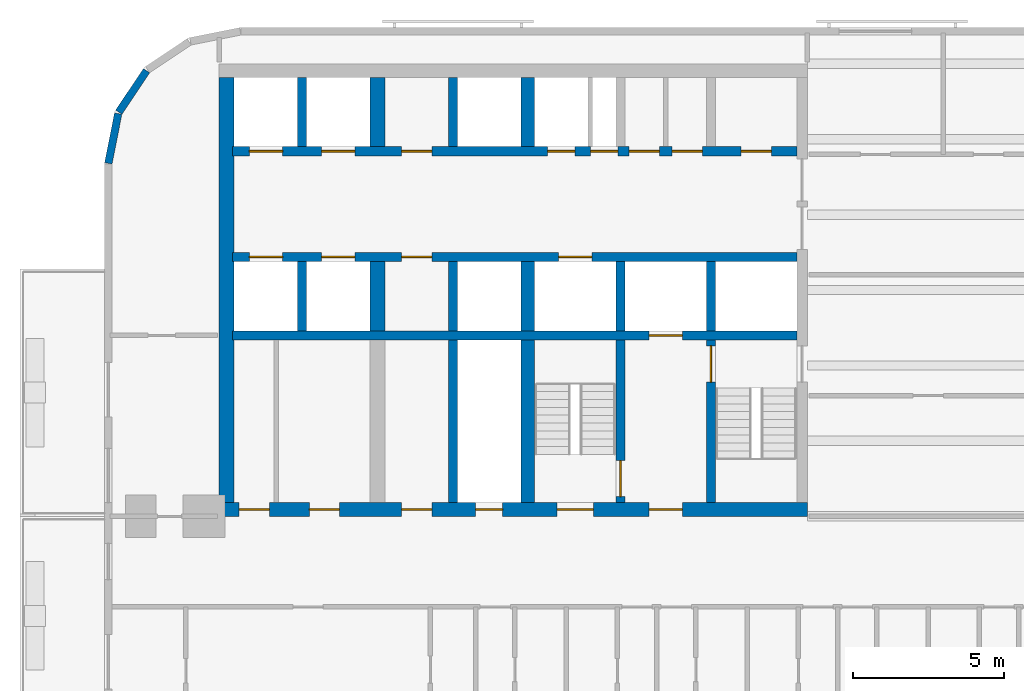
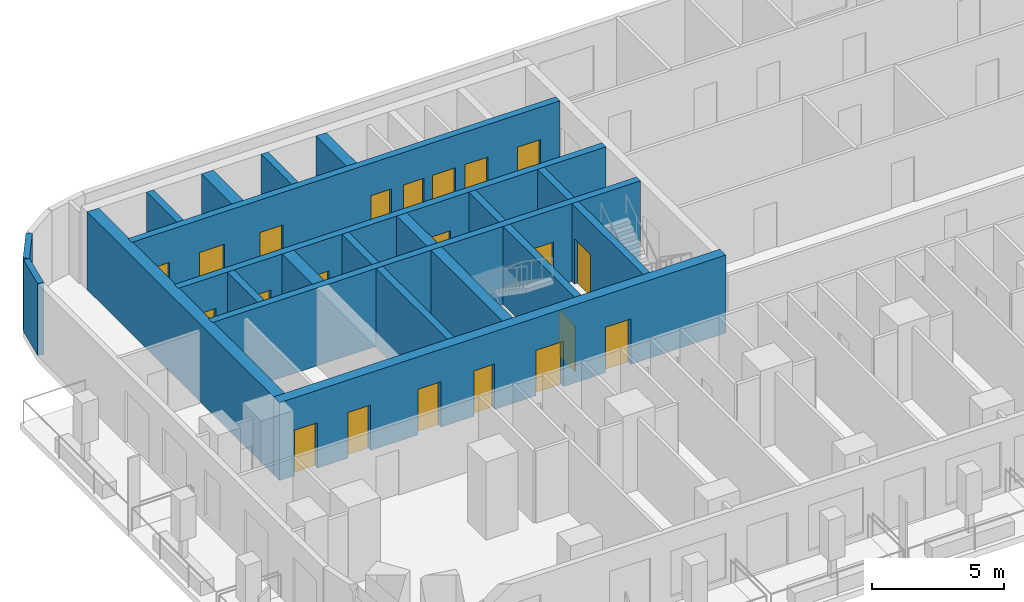
# One storey, part 3 of 14: 21 doors, 21 walls, 21 openings.
"""IFC4 building model written with IfcOpenShell, lengths in metres."""

from ifc_helpers import new_model, si_unit, direction, frame, frame_2d, origin, place, context, subcontext, project, spatial, rectangle, extrude, material, layer, layer_set, type_object, element, fill, save


model = new_model("IFC4")

# Units and contexts
model_context = context("Model", 3, precision=1e-05, world=origin(), true_north=direction((0.0, 1.0)))
body_context = subcontext(model_context, "Body", "Model", "MODEL_VIEW")
ifc_project = project(units=[si_unit("LENGTHUNIT", "METRE"), si_unit("AREAUNIT", "SQUARE_METRE"), si_unit("VOLUMEUNIT", "CUBIC_METRE"), si_unit("PLANEANGLEUNIT", "RADIAN"), si_unit("MASSUNIT", "GRAM", prefix="KILO")], contexts=[model_context])

# Site, building, storey
site_placement = place(None, origin())
site = spatial("IfcSite", under=ifc_project, at=site_placement, CompositionType="ELEMENT")
building_placement = place(site_placement, origin())
building = spatial("IfcBuilding", under=site, at=building_placement, Name="Torana Hotel and Residences", CompositionType="ELEMENT")
storey_placement = place(building_placement, frame((0.0, 0.0, 34.800048828125)))
storey = spatial("IfcBuildingStorey", under=building, at=storey_placement, Name="L07", CompositionType="ELEMENT", Elevation=34.800048828125)

# Wall, openings, doors
ifc_material_1 = material(Name="Concrete C80/95", Category="concrete")
ifc_layer_1 = layer(ifc_material_1, 0.300048828125)
ifc_layer_set_1 = layer_set([ifc_layer_1], Name="CORE WALL 300 C80/95")
wall_type_1 = type_object("IfcWallType", Name="CORE WALL 300 C80/95", PredefinedType="SHEAR", material=ifc_layer_set_1)
wall_1_placement = place(storey_placement, frame((-29.050048828125, -2.89990234375, 0.0), z_axis=(0.0, 0.0, 1.0), x_axis=(1.0, 0.0, 0.0)))
wall_1 = element("IfcWall", 1, at=wall_1_placement, inside=storey, type_object=wall_type_1, Name="Core wall W row-N", PredefinedType="SHEAR", context=body_context, shape_type="SweptSolid", body=[
    extrude(rectangle(XDim=18.699951171875, YDim=0.300048828125, at=frame_2d((9.35009765625, 0.0))), origin(), (0.0, 0.0, 1.0), 3.599853515625),
])
opening_1_placement = place(wall_1_placement, frame((2.949951171875, 0.0, 0.0)))
opening_1 = element("IfcOpeningElement", 2, at=opening_1_placement, cuts=wall_1, Name="Opening LD", PredefinedType="OPENING", context=body_context, shape_type="SweptSolid", body=[
    extrude(rectangle(XDim=1.10009765625, YDim=2.10009765625, at=frame_2d((0.550048828125, 1.050048828125))), frame((0.0, 0.159912109375, 0.0), z_axis=(0.0, -1.0, 0.0), x_axis=(1.0, 0.0, 0.0)), (0.0, 0.0, 1.0), 0.320068359375),
])
opening_2_placement = place(wall_1_placement, frame((0.550048828125, 0.0, 0.0)))
opening_2 = element("IfcOpeningElement", 3, at=opening_2_placement, cuts=wall_1, Name="Opening LD", PredefinedType="OPENING", context=body_context, shape_type="SweptSolid", body=[
    extrude(rectangle(XDim=1.10009765625, YDim=2.10009765625, at=frame_2d((0.550048828125, 1.050048828125))), frame((0.0, 0.159912109375, 0.0), z_axis=(0.0, -1.0, 0.0), x_axis=(1.0, 0.0, 0.0)), (0.0, 0.0, 1.0), 0.320068359375),
])
opening_3_placement = place(wall_1_placement, frame((11.862548828125, 0.0, 0.0)))
opening_3 = element("IfcOpeningElement", 4, at=opening_3_placement, cuts=wall_1, Name="Opening L07-10", PredefinedType="OPENING", context=body_context, shape_type="SweptSolid", body=[
    extrude(rectangle(XDim=0.89990234375, YDim=2.10009765625, at=frame_2d((0.449951171875, 1.050048828125))), frame((0.0, 0.159912109375, 0.0), z_axis=(0.0, -1.0, 0.0), x_axis=(1.0, 0.0, 0.0)), (0.0, 0.0, 1.0), 0.320068359375),
])
opening_4_placement = place(wall_1_placement, frame((10.4375, 0.0, 0.0)))
opening_4 = element("IfcOpeningElement", 5, at=opening_4_placement, cuts=wall_1, Name="Opening L07-11", PredefinedType="OPENING", context=body_context, shape_type="SweptSolid", body=[
    extrude(rectangle(XDim=0.89990234375, YDim=2.10009765625, at=frame_2d((0.449951171875, 1.050048828125))), frame((0.0, 0.159912109375, 0.0), z_axis=(0.0, -1.0, 0.0), x_axis=(1.0, 0.0, 0.0)), (0.0, 0.0, 1.0), 0.320068359375),
])
opening_5_placement = place(wall_1_placement, frame((16.85009765625, 0.0, 0.0)))
opening_5 = element("IfcOpeningElement", 6, at=opening_5_placement, cuts=wall_1, Name="Opening L07-12", PredefinedType="OPENING", context=body_context, shape_type="SweptSolid", body=[
    extrude(rectangle(XDim=1.0, YDim=2.10009765625, at=frame_2d((0.5, 1.050048828125))), frame((0.0, 0.159912109375, 0.0), z_axis=(0.0, -1.0, 0.0), x_axis=(1.0, 0.0, 0.0)), (0.0, 0.0, 1.0), 0.320068359375),
])
opening_6_placement = place(wall_1_placement, frame((14.5625, 0.0, 0.0)))
opening_6 = element("IfcOpeningElement", 7, at=opening_6_placement, cuts=wall_1, Name="Opening L07-13", PredefinedType="OPENING", context=body_context, shape_type="SweptSolid", body=[
    extrude(rectangle(XDim=1.0, YDim=2.10009765625, at=frame_2d((0.5, 1.050048828125))), frame((0.0, 0.159912109375, 0.0), z_axis=(0.0, -1.0, 0.0), x_axis=(1.0, 0.0, 0.0)), (0.0, 0.0, 1.0), 0.320068359375),
])
opening_7_placement = place(wall_1_placement, frame((13.137451171875, 0.0, 0.0)))
opening_7 = element("IfcOpeningElement", 8, at=opening_7_placement, cuts=wall_1, Name="Opening L07-14", PredefinedType="OPENING", context=body_context, shape_type="SweptSolid", body=[
    extrude(rectangle(XDim=1.0, YDim=2.10009765625, at=frame_2d((0.5, 1.050048828125))), frame((0.0, 0.159912109375, 0.0), z_axis=(0.0, -1.0, 0.0), x_axis=(1.0, 0.0, 0.0)), (0.0, 0.0, 1.0), 0.320068359375),
])
opening_8_placement = place(wall_1_placement, frame((5.60009765625, 0.0, 0.0)))
opening_8 = element("IfcOpeningElement", 9, at=opening_8_placement, cuts=wall_1, Name="Opening L07-15", PredefinedType="OPENING", context=body_context, shape_type="SweptSolid", body=[
    extrude(rectangle(XDim=1.0, YDim=2.10009765625, at=frame_2d((0.5, 1.050048828125))), frame((0.0, 0.159912109375, 0.0), z_axis=(0.0, -1.0, 0.0), x_axis=(1.0, 0.0, 0.0)), (0.0, 0.0, 1.0), 0.320068359375),
])
ifc_material_2 = material(Name="Steel S235", Category="steel")
door_type_1 = type_object("IfcDoorType", Name="CORE ROOM FIRE DOOR D14 1000x2100", OperationType="SINGLE_SWING_LEFT", PredefinedType="DOOR", material=ifc_material_2)
door_1_placement = place(opening_5_placement, origin())
door_1 = element("IfcDoor", 10, at=door_1_placement, inside=storey, type_object=door_type_1, Name="N0 door L07", OperationType="SINGLE_SWING_RIGHT", OverallHeight=2.10009765625, OverallWidth=1.0, PredefinedType="DOOR", context=body_context, shape_type="SweptSolid", body=[
    extrude(rectangle(XDim=1.0, YDim=2.10009765625, at=frame_2d((0.5, 1.050048828125))), frame((0.0, 0.02490234375, 0.0), z_axis=(0.0, -1.0, 0.0), x_axis=(1.0, 0.0, 0.0)), (0.0, 0.0, 1.0), 0.050048828125),
])
fill(opening_5, door_1)
door_2_placement = place(opening_6_placement, origin())
door_2 = element("IfcDoor", 11, at=door_2_placement, inside=storey, type_object=door_type_1, Name="N1A door L07", OperationType="SINGLE_SWING_RIGHT", OverallHeight=2.10009765625, OverallWidth=1.0, PredefinedType="DOOR", context=body_context, shape_type="SweptSolid", body=[
    extrude(rectangle(XDim=1.0, YDim=2.10009765625, at=frame_2d((0.5, 1.050048828125))), frame((0.0, 0.02490234375, 0.0), z_axis=(0.0, -1.0, 0.0), x_axis=(1.0, 0.0, 0.0)), (0.0, 0.0, 1.0), 0.050048828125),
])
fill(opening_6, door_2)
door_3_placement = place(opening_7_placement, origin())
door_3 = element("IfcDoor", 12, at=door_3_placement, inside=storey, type_object=door_type_1, Name="N1B door L07", OperationType="SINGLE_SWING_RIGHT", OverallHeight=2.10009765625, OverallWidth=1.0, PredefinedType="DOOR", context=body_context, shape_type="SweptSolid", body=[
    extrude(rectangle(XDim=1.0, YDim=2.10009765625, at=frame_2d((0.5, 1.050048828125))), frame((0.0, 0.02490234375, 0.0), z_axis=(0.0, -1.0, 0.0), x_axis=(1.0, 0.0, 0.0)), (0.0, 0.0, 1.0), 0.050048828125),
])
fill(opening_7, door_3)
door_4_placement = place(opening_8_placement, origin())
door_4 = element("IfcDoor", 13, at=door_4_placement, inside=storey, type_object=door_type_1, Name="Free-M1 door L07", OperationType="SINGLE_SWING_RIGHT", OverallHeight=2.10009765625, OverallWidth=1.0, PredefinedType="DOOR", context=body_context, shape_type="SweptSolid", body=[
    extrude(rectangle(XDim=1.0, YDim=2.10009765625, at=frame_2d((0.5, 1.050048828125))), frame((0.0, 0.02490234375, 0.0), z_axis=(0.0, -1.0, 0.0), x_axis=(1.0, 0.0, 0.0)), (0.0, 0.0, 1.0), 0.050048828125),
])
fill(opening_8, door_4)
ifc_material_3 = material(Name="Stainless steel 316", Category="steel")
door_type_2 = type_object("IfcDoorType", Name="LIFT LANDING DOOR LD 1100x2100", OperationType="DOUBLE_DOOR_SLIDING", PredefinedType="USERDEFINED", material=ifc_material_3)
door_5_placement = place(opening_1_placement, origin())
door_5 = element("IfcDoor", 14, at=door_5_placement, inside=storey, type_object=door_type_2, Name="Lift landing door L1 L07", ObjectType="LIFT LANDING DOOR", OperationType="DOUBLE_DOOR_SLIDING", OverallHeight=2.10009765625, OverallWidth=1.10009765625, PredefinedType="USERDEFINED", context=body_context, shape_type="SweptSolid", body=[
    extrude(rectangle(XDim=1.10009765625, YDim=2.10009765625, at=frame_2d((0.550048828125, 1.050048828125))), frame((0.0, 0.02490234375, 0.0), z_axis=(0.0, -1.0, 0.0), x_axis=(1.0, 0.0, 0.0)), (0.0, 0.0, 1.0), 0.050048828125),
])
fill(opening_1, door_5)
door_6_placement = place(opening_2_placement, origin())
door_6 = element("IfcDoor", 15, at=door_6_placement, inside=storey, type_object=door_type_2, Name="Lift landing door L2 L07", ObjectType="LIFT LANDING DOOR", OperationType="DOUBLE_DOOR_SLIDING", OverallHeight=2.10009765625, OverallWidth=1.10009765625, PredefinedType="USERDEFINED", context=body_context, shape_type="SweptSolid", body=[
    extrude(rectangle(XDim=1.10009765625, YDim=2.10009765625, at=frame_2d((0.550048828125, 1.050048828125))), frame((0.0, 0.02490234375, 0.0), z_axis=(0.0, -1.0, 0.0), x_axis=(1.0, 0.0, 0.0)), (0.0, 0.0, 1.0), 0.050048828125),
])
fill(opening_2, door_6)
ifc_material_4 = material(Name="Steel S235", Category="steel")
door_type_3 = type_object("IfcDoorType", Name="RISER ACCESS DOOR D5 900x2100", OperationType="SINGLE_SWING_LEFT", PredefinedType="DOOR", material=ifc_material_4)
door_7_placement = place(opening_3_placement, origin())
door_7 = element("IfcDoor", 16, at=door_7_placement, inside=storey, type_object=door_type_3, Name="N2A door L07", OperationType="SINGLE_SWING_LEFT", OverallHeight=2.10009765625, OverallWidth=0.89990234375, PredefinedType="DOOR", context=body_context, shape_type="SweptSolid", body=[
    extrude(rectangle(XDim=0.89990234375, YDim=2.10009765625, at=frame_2d((0.449951171875, 1.050048828125))), frame((0.0, 0.02490234375, 0.0), z_axis=(0.0, -1.0, 0.0), x_axis=(1.0, 0.0, 0.0)), (0.0, 0.0, 1.0), 0.050048828125),
])
fill(opening_3, door_7)
door_8_placement = place(opening_4_placement, origin())
door_8 = element("IfcDoor", 17, at=door_8_placement, inside=storey, type_object=door_type_3, Name="N2B door L07", OperationType="SINGLE_SWING_RIGHT", OverallHeight=2.10009765625, OverallWidth=0.89990234375, PredefinedType="DOOR", context=body_context, shape_type="SweptSolid", body=[
    extrude(rectangle(XDim=0.89990234375, YDim=2.10009765625, at=frame_2d((0.449951171875, 1.050048828125))), frame((0.0, 0.02490234375, 0.0), z_axis=(0.0, -1.0, 0.0), x_axis=(1.0, 0.0, 0.0)), (0.0, 0.0, 1.0), 0.050048828125),
])
fill(opening_4, door_8)

wall_2_placement = place(storey_placement, frame((-29.050048828125, -6.39990234375, 0.0), z_axis=(0.0, 0.0, 1.0), x_axis=(1.0, 0.0, 0.0)))
wall_2 = element("IfcWall", 18, at=wall_2_placement, inside=storey, type_object=wall_type_1, Name="Core wall W row-S", PredefinedType="SHEAR", context=body_context, shape_type="SweptSolid", body=[
    extrude(rectangle(XDim=18.699951171875, YDim=0.300048828125, at=frame_2d((9.35009765625, 0.0))), origin(), (0.0, 0.0, 1.0), 3.599853515625),
])
opening_9_placement = place(wall_2_placement, frame((2.949951171875, 0.0, 0.0)))
opening_9 = element("IfcOpeningElement", 19, at=opening_9_placement, cuts=wall_2, Name="Opening LD", PredefinedType="OPENING", context=body_context, shape_type="SweptSolid", body=[
    extrude(rectangle(XDim=1.10009765625, YDim=2.10009765625, at=frame_2d((0.550048828125, 1.050048828125))), frame((0.0, 0.159912109375, 0.0), z_axis=(0.0, -1.0, 0.0), x_axis=(1.0, 0.0, 0.0)), (0.0, 0.0, 1.0), 0.320068359375),
])
opening_10_placement = place(wall_2_placement, frame((0.550048828125, 0.0, 0.0)))
opening_10 = element("IfcOpeningElement", 20, at=opening_10_placement, cuts=wall_2, Name="Opening LD", PredefinedType="OPENING", context=body_context, shape_type="SweptSolid", body=[
    extrude(rectangle(XDim=1.10009765625, YDim=2.10009765625, at=frame_2d((0.550048828125, 1.050048828125))), frame((0.0, 0.159912109375, 0.0), z_axis=(0.0, -1.0, 0.0), x_axis=(1.0, 0.0, 0.0)), (0.0, 0.0, 1.0), 0.320068359375),
])
opening_11_placement = place(wall_2_placement, frame((10.800048828125, 0.0, 0.0)))
opening_11 = element("IfcOpeningElement", 21, at=opening_11_placement, cuts=wall_2, Name="Opening LD", PredefinedType="OPENING", context=body_context, shape_type="SweptSolid", body=[
    extrude(rectangle(XDim=1.10009765625, YDim=2.10009765625, at=frame_2d((0.550048828125, 1.050048828125))), frame((0.0, 0.159912109375, 0.0), z_axis=(0.0, -1.0, 0.0), x_axis=(1.0, 0.0, 0.0)), (0.0, 0.0, 1.0), 0.320068359375),
])
opening_12_placement = place(wall_2_placement, frame((5.60009765625, 0.0, 0.0)))
opening_12 = element("IfcOpeningElement", 22, at=opening_12_placement, cuts=wall_2, Name="Opening L07-16", PredefinedType="OPENING", context=body_context, shape_type="SweptSolid", body=[
    extrude(rectangle(XDim=1.0, YDim=2.10009765625, at=frame_2d((0.5, 1.050048828125))), frame((0.0, 0.159912109375, 0.0), z_axis=(0.0, -1.0, 0.0), x_axis=(1.0, 0.0, 0.0)), (0.0, 0.0, 1.0), 0.320068359375),
])
door_9_placement = place(opening_12_placement, frame((0.5, 0.0, 0.0), z_axis=(0.0, 0.0, 1.0), x_axis=(-1.0, 0.0, 0.0)))
door_9 = element("IfcDoor", 23, at=door_9_placement, inside=storey, type_object=door_type_1, Name="Free-M2 door L07", OperationType="SINGLE_SWING_LEFT", OverallHeight=2.10009765625, OverallWidth=1.0, PredefinedType="DOOR", context=body_context, shape_type="SweptSolid", body=[
    extrude(rectangle(XDim=1.0, YDim=2.10009765625, at=frame_2d((0.0, 1.050048828125))), frame((0.0, -0.02490234375, 0.0), z_axis=(0.0, 1.0, 0.0), x_axis=(-1.0, 0.0, 0.0)), (0.0, 0.0, 1.0), 0.050048828125),
])
fill(opening_12, door_9)
door_10_placement = place(opening_9_placement, origin())
door_10 = element("IfcDoor", 24, at=door_10_placement, inside=storey, type_object=door_type_2, Name="Lift landing door L3 L07", ObjectType="LIFT LANDING DOOR", OperationType="DOUBLE_DOOR_SLIDING", OverallHeight=2.10009765625, OverallWidth=1.10009765625, PredefinedType="USERDEFINED", context=body_context, shape_type="SweptSolid", body=[
    extrude(rectangle(XDim=1.10009765625, YDim=2.10009765625, at=frame_2d((0.550048828125, 1.050048828125))), frame((0.0, 0.02490234375, 0.0), z_axis=(0.0, -1.0, 0.0), x_axis=(1.0, 0.0, 0.0)), (0.0, 0.0, 1.0), 0.050048828125),
])
fill(opening_9, door_10)
door_11_placement = place(opening_10_placement, origin())
door_11 = element("IfcDoor", 25, at=door_11_placement, inside=storey, type_object=door_type_2, Name="Lift landing door L4 L07", ObjectType="LIFT LANDING DOOR", OperationType="DOUBLE_DOOR_SLIDING", OverallHeight=2.10009765625, OverallWidth=1.10009765625, PredefinedType="USERDEFINED", context=body_context, shape_type="SweptSolid", body=[
    extrude(rectangle(XDim=1.10009765625, YDim=2.10009765625, at=frame_2d((0.550048828125, 1.050048828125))), frame((0.0, 0.02490234375, 0.0), z_axis=(0.0, -1.0, 0.0), x_axis=(1.0, 0.0, 0.0)), (0.0, 0.0, 1.0), 0.050048828125),
])
fill(opening_10, door_11)
door_12_placement = place(opening_11_placement, origin())
door_12 = element("IfcDoor", 26, at=door_12_placement, inside=storey, type_object=door_type_2, Name="Lift landing door SV1 L07", ObjectType="LIFT LANDING DOOR", OperationType="DOUBLE_DOOR_SLIDING", OverallHeight=2.10009765625, OverallWidth=1.10009765625, PredefinedType="USERDEFINED", context=body_context, shape_type="SweptSolid", body=[
    extrude(rectangle(XDim=1.10009765625, YDim=2.10009765625, at=frame_2d((0.550048828125, 1.050048828125))), frame((0.0, 0.02490234375, 0.0), z_axis=(0.0, -1.0, 0.0), x_axis=(1.0, 0.0, 0.0)), (0.0, 0.0, 1.0), 0.050048828125),
])
fill(opening_11, door_12)

# Wall, opening, door
wall_3_placement = place(storey_placement, frame((-29.050048828125, -9.0, 0.0), z_axis=(0.0, 0.0, 1.0), x_axis=(1.0, 0.0, 0.0)))
wall_3 = element("IfcWall", 27, at=wall_3_placement, inside=storey, type_object=wall_type_1, Name="Core wall W band", PredefinedType="SHEAR", context=body_context, shape_type="SweptSolid", body=[
    extrude(rectangle(XDim=18.699951171875, YDim=0.300048828125, at=frame_2d((9.35009765625, 0.0))), origin(), (0.0, 0.0, 1.0), 3.599853515625),
])
opening_13_placement = place(wall_3_placement, frame((13.800048828125, 0.0, 0.0)))
opening_13 = element("IfcOpeningElement", 28, at=opening_13_placement, cuts=wall_3, Name="Opening LD", PredefinedType="OPENING", context=body_context, shape_type="SweptSolid", body=[
    extrude(rectangle(XDim=1.10009765625, YDim=2.10009765625, at=frame_2d((0.550048828125, 1.050048828125))), frame((0.0, 0.159912109375, 0.0), z_axis=(0.0, -1.0, 0.0), x_axis=(1.0, 0.0, 0.0)), (0.0, 0.0, 1.0), 0.320068359375),
])
door_13_placement = place(opening_13_placement, origin())
door_13 = element("IfcDoor", 29, at=door_13_placement, inside=storey, type_object=door_type_2, Name="Lift landing door FF1 L07", ObjectType="LIFT LANDING DOOR", OperationType="DOUBLE_DOOR_SLIDING", OverallHeight=2.10009765625, OverallWidth=1.10009765625, PredefinedType="USERDEFINED", context=body_context, shape_type="SweptSolid", body=[
    extrude(rectangle(XDim=1.10009765625, YDim=2.10009765625, at=frame_2d((0.550048828125, 1.050048828125))), frame((0.0, 0.02490234375, 0.0), z_axis=(0.0, -1.0, 0.0), x_axis=(1.0, 0.0, 0.0)), (0.0, 0.0, 1.0), 0.050048828125),
])
fill(opening_13, door_13)

# Wall
wall_4_placement = place(storey_placement, frame((-13.199951171875, -8.85009765625, 0.0), z_axis=(0.0, 0.0, 1.0), x_axis=(0.0, 1.0, 0.0)))
element("IfcWall", 30, at=wall_4_placement, inside=storey, type_object=wall_type_1, Name="Core wall W x3.05-S", PredefinedType="SHEAR", context=body_context, shape_type="SweptSolid", body=[
    extrude(rectangle(XDim=2.300048828125, YDim=0.300048828125, at=frame_2d((1.14990234375, 0.0))), origin(), (0.0, 0.0, 1.0), 3.599853515625),
])

# Wall, opening, door
wall_5_placement = place(storey_placement, frame((-13.199951171875, -14.550048828125, 0.0), z_axis=(0.0, 0.0, 1.0), x_axis=(0.0, 1.0, 0.0)))
wall_5 = element("IfcWall", 31, at=wall_5_placement, inside=storey, type_object=wall_type_1, Name="Core wall W x3.05-band", PredefinedType="SHEAR", context=body_context, shape_type="SweptSolid", body=[
    extrude(rectangle(XDim=5.400146484375, YDim=0.300048828125, at=frame_2d((2.7001953125, 0.0))), origin(), (0.0, 0.0, 1.0), 3.599853515625),
])
opening_14_placement = place(wall_5_placement, frame((4.0, 0.0, 0.0)))
opening_14 = element("IfcOpeningElement", 32, at=opening_14_placement, cuts=wall_5, Name="Opening L07-17", PredefinedType="OPENING", context=body_context, shape_type="SweptSolid", body=[
    extrude(rectangle(XDim=1.199951171875, YDim=2.10009765625, at=frame_2d((0.60009765625, 1.050048828125))), frame((0.0, 0.159912109375, 0.0), z_axis=(0.0, -1.0, 0.0), x_axis=(1.0, 0.0, 0.0)), (0.0, 0.0, 1.0), 0.320068359375),
])
ifc_material_5 = material(Name="Steel S235", Category="steel")
door_type_4 = type_object("IfcDoorType", Name="STAIR FIRE DOOR D3 1200x2100", OperationType="SINGLE_SWING_LEFT", PredefinedType="DOOR", material=ifc_material_5)
door_14_placement = place(opening_14_placement, frame((0.60009765625, 0.0, 0.0), z_axis=(0.0, 0.0, 1.0), x_axis=(-1.0, 0.0, 0.0)))
door_14 = element("IfcDoor", 33, at=door_14_placement, inside=storey, type_object=door_type_4, Name="Stair-A-lobby door L07", OperationType="SINGLE_SWING_RIGHT", OverallHeight=2.10009765625, OverallWidth=1.199951171875, PredefinedType="DOOR", context=body_context, shape_type="SweptSolid", body=[
    extrude(rectangle(XDim=1.199951171875, YDim=2.10009765625, at=frame_2d((0.0, 1.050048828125))), frame((0.0, -0.02490234375, 0.0), z_axis=(0.0, 1.0, 0.0), x_axis=(-1.0, 0.0, 0.0)), (0.0, 0.0, 1.0), 0.050048828125),
])
fill(opening_14, door_14)

# Wall
wall_6_placement = place(storey_placement, frame((-16.199951171875, -8.85009765625, 0.0), z_axis=(0.0, 0.0, 1.0), x_axis=(0.0, 1.0, 0.0)))
element("IfcWall", 34, at=wall_6_placement, inside=storey, type_object=wall_type_1, Name="Core wall W x6.05-S", PredefinedType="SHEAR", context=body_context, shape_type="SweptSolid", body=[
    extrude(rectangle(XDim=2.300048828125, YDim=0.300048828125, at=frame_2d((1.14990234375, 0.0))), origin(), (0.0, 0.0, 1.0), 3.599853515625),
])

# Wall, opening, door
wall_7_placement = place(storey_placement, frame((-16.199951171875, -14.550048828125, 0.0), z_axis=(0.0, 0.0, 1.0), x_axis=(0.0, 1.0, 0.0)))
wall_7 = element("IfcWall", 35, at=wall_7_placement, inside=storey, type_object=wall_type_1, Name="Core wall W x6.05-band", PredefinedType="SHEAR", context=body_context, shape_type="SweptSolid", body=[
    extrude(rectangle(XDim=5.400146484375, YDim=0.300048828125, at=frame_2d((2.7001953125, 0.0))), origin(), (0.0, 0.0, 1.0), 3.599853515625),
])
opening_15_placement = place(wall_7_placement, frame((0.199951171875, 0.0, 0.0)))
opening_15 = element("IfcOpeningElement", 36, at=opening_15_placement, cuts=wall_7, Name="Opening L07-18", PredefinedType="OPENING", context=body_context, shape_type="SweptSolid", body=[
    extrude(rectangle(XDim=1.199951171875, YDim=2.10009765625, at=frame_2d((0.60009765625, 1.050048828125))), frame((0.0, 0.159912109375, 0.0), z_axis=(0.0, -1.0, 0.0), x_axis=(1.0, 0.0, 0.0)), (0.0, 0.0, 1.0), 0.320068359375),
])
door_15_placement = place(opening_15_placement, origin())
door_15 = element("IfcDoor", 37, at=door_15_placement, inside=storey, type_object=door_type_4, Name="Stair-B-lobby door L07", OperationType="SINGLE_SWING_RIGHT", OverallHeight=2.10009765625, OverallWidth=1.199951171875, PredefinedType="DOOR", context=body_context, shape_type="SweptSolid", body=[
    extrude(rectangle(XDim=1.199951171875, YDim=2.10009765625, at=frame_2d((0.60009765625, 1.050048828125))), frame((0.0, 0.02490234375, 0.0), z_axis=(0.0, -1.0, 0.0), x_axis=(1.0, 0.0, 0.0)), (0.0, 0.0, 1.0), 0.050048828125),
])
fill(opening_15, door_15)

# Walls
for number, where, z_axis, x_axis, name in (
    (38, (-21.75, -2.75, 0.0), (0.0, 0.0, 1.0), (0.0, 1.0, 0.0), "Core wall W mm-N"),
    (39, (-21.75, -8.85009765625, 0.0), (0.0, 0.0, 1.0), (0.0, 1.0, 0.0), "Core wall W mm-S"),
):
    element("IfcWall", number, at=place(storey_placement, frame(where, z_axis=z_axis, x_axis=x_axis)), inside=storey, type_object=wall_type_1, Name=name, PredefinedType="SHEAR", context=body_context, shape_type="SweptSolid", body=[
        extrude(rectangle(XDim=2.300048828125, YDim=0.300048828125, at=frame_2d((1.14990234375, 0.0))), origin(), (0.0, 0.0, 1.0), 3.599853515625),
    ])
wall_8_placement = place(storey_placement, frame((-21.75, -14.550048828125, 0.0), z_axis=(0.0, 0.0, 1.0), x_axis=(0.0, 1.0, 0.0)))
element("IfcWall", 40, at=wall_8_placement, inside=storey, type_object=wall_type_1, Name="Core wall W mm-band", PredefinedType="SHEAR", context=body_context, shape_type="SweptSolid", body=[
    extrude(rectangle(XDim=5.400146484375, YDim=0.300048828125, at=frame_2d((2.7001953125, 0.0))), origin(), (0.0, 0.0, 1.0), 3.599853515625),
])
for number, where, z_axis, x_axis, name in (
    (41, (-26.75, -2.75, 0.0), (0.0, 0.0, 1.0), (0.0, 1.0, 0.0), "Core wall W ll-N"),
    (42, (-26.75, -8.85009765625, 0.0), (0.0, 0.0, 1.0), (0.0, 1.0, 0.0), "Core wall W ll-S"),
):
    element("IfcWall", number, at=place(storey_placement, frame(where, z_axis=z_axis, x_axis=x_axis)), inside=storey, type_object=wall_type_1, Name=name, PredefinedType="SHEAR", context=body_context, shape_type="SweptSolid", body=[
        extrude(rectangle(XDim=2.300048828125, YDim=0.300048828125, at=frame_2d((1.14990234375, 0.0))), origin(), (0.0, 0.0, 1.0), 3.599853515625),
    ])

# Wall, openings, doors
ifc_material_6 = material(Name="Concrete C80/95", Category="concrete")
ifc_layer_2 = layer(ifc_material_6, 0.449951171875)
ifc_layer_set_2 = layer_set([ifc_layer_2], Name="CORE WALL 450 C80/95")
wall_type_2 = type_object("IfcWallType", Name="CORE WALL 450 C80/95", PredefinedType="SHEAR", material=ifc_layer_set_2)
wall_9_placement = place(storey_placement, frame((-29.5, -14.77490234375, 0.0), z_axis=(0.0, 0.0, 1.0), x_axis=(1.0, 0.0, 0.0)))
wall_9 = element("IfcWall", 43, at=wall_9_placement, inside=storey, type_object=wall_type_2, Name="Core wall W front", PredefinedType="SHEAR", context=body_context, shape_type="SweptSolid", body=[
    extrude(rectangle(XDim=19.5, YDim=0.449951171875, at=frame_2d((9.75, 0.0))), origin(), (0.0, 0.0, 1.0), 3.599853515625),
])
opening_16_placement = place(wall_9_placement, frame((11.199951171875, 0.0, 0.0)))
opening_16 = element("IfcOpeningElement", 44, at=opening_16_placement, cuts=wall_9, Name="Opening L07-04", PredefinedType="OPENING", context=body_context, shape_type="SweptSolid", body=[
    extrude(rectangle(XDim=1.199951171875, YDim=2.10009765625, at=frame_2d((0.60009765625, 1.050048828125))), frame((0.0, 0.23486328125, 0.0), z_axis=(0.0, -1.0, 0.0), x_axis=(1.0, 0.0, 0.0)), (0.0, 0.0, 1.0), 0.469970703125),
])
opening_17_placement = place(wall_9_placement, frame((14.25, 0.0, 0.0)))
opening_17 = element("IfcOpeningElement", 45, at=opening_17_placement, cuts=wall_9, Name="Opening L07-05", PredefinedType="OPENING", context=body_context, shape_type="SweptSolid", body=[
    extrude(rectangle(XDim=1.10009765625, YDim=2.10009765625, at=frame_2d((0.550048828125, 1.050048828125))), frame((0.0, 0.23486328125, 0.0), z_axis=(0.0, -1.0, 0.0), x_axis=(1.0, 0.0, 0.0)), (0.0, 0.0, 1.0), 0.469970703125),
])
opening_18_placement = place(wall_9_placement, frame((8.5, 0.0, 0.0)))
opening_18 = element("IfcOpeningElement", 46, at=opening_18_placement, cuts=wall_9, Name="Opening L07-06", PredefinedType="OPENING", context=body_context, shape_type="SweptSolid", body=[
    extrude(rectangle(XDim=0.89990234375, YDim=2.10009765625, at=frame_2d((0.449951171875, 1.050048828125))), frame((0.0, 0.23486328125, 0.0), z_axis=(0.0, -1.0, 0.0), x_axis=(1.0, 0.0, 0.0)), (0.0, 0.0, 1.0), 0.469970703125),
])
opening_19_placement = place(wall_9_placement, frame((6.050048828125, 0.0, 0.0)))
opening_19 = element("IfcOpeningElement", 47, at=opening_19_placement, cuts=wall_9, Name="Opening L07-07", PredefinedType="OPENING", context=body_context, shape_type="SweptSolid", body=[
    extrude(rectangle(XDim=1.0, YDim=2.10009765625, at=frame_2d((0.5, 1.050048828125))), frame((0.0, 0.23486328125, 0.0), z_axis=(0.0, -1.0, 0.0), x_axis=(1.0, 0.0, 0.0)), (0.0, 0.0, 1.0), 0.469970703125),
])
opening_20_placement = place(wall_9_placement, frame((2.987548828125, 0.0, 0.0)))
opening_20 = element("IfcOpeningElement", 48, at=opening_20_placement, cuts=wall_9, Name="Opening L07-08", PredefinedType="OPENING", context=body_context, shape_type="SweptSolid", body=[
    extrude(rectangle(XDim=1.0, YDim=2.10009765625, at=frame_2d((0.5, 1.050048828125))), frame((0.0, 0.23486328125, 0.0), z_axis=(0.0, -1.0, 0.0), x_axis=(1.0, 0.0, 0.0)), (0.0, 0.0, 1.0), 0.469970703125),
])
opening_21_placement = place(wall_9_placement, frame((0.66259765625, 0.0, 0.0)))
opening_21 = element("IfcOpeningElement", 49, at=opening_21_placement, cuts=wall_9, Name="Opening L07-09", PredefinedType="OPENING", context=body_context, shape_type="SweptSolid", body=[
    extrude(rectangle(XDim=1.0, YDim=2.10009765625, at=frame_2d((0.5, 1.050048828125))), frame((0.0, 0.23486328125, 0.0), z_axis=(0.0, -1.0, 0.0), x_axis=(1.0, 0.0, 0.0)), (0.0, 0.0, 1.0), 0.469970703125),
])
door_16_placement = place(opening_19_placement, origin())
door_16 = element("IfcDoor", 50, at=door_16_placement, inside=storey, type_object=door_type_1, Name="M-Room door L07", OperationType="SINGLE_SWING_RIGHT", OverallHeight=2.10009765625, OverallWidth=1.0, PredefinedType="DOOR", context=body_context, shape_type="SweptSolid", body=[
    extrude(rectangle(XDim=1.0, YDim=2.10009765625, at=frame_2d((0.5, 1.050048828125))), frame((0.0, 0.02490234375, 0.0), z_axis=(0.0, -1.0, 0.0), x_axis=(1.0, 0.0, 0.0)), (0.0, 0.0, 1.0), 0.050048828125),
])
fill(opening_19, door_16)
door_17_placement = place(opening_20_placement, origin())
door_17 = element("IfcDoor", 51, at=door_17_placement, inside=storey, type_object=door_type_1, Name="L-A door L07", OperationType="SINGLE_SWING_RIGHT", OverallHeight=2.10009765625, OverallWidth=1.0, PredefinedType="DOOR", context=body_context, shape_type="SweptSolid", body=[
    extrude(rectangle(XDim=1.0, YDim=2.10009765625, at=frame_2d((0.5, 1.050048828125))), frame((0.0, 0.02490234375, 0.0), z_axis=(0.0, -1.0, 0.0), x_axis=(1.0, 0.0, 0.0)), (0.0, 0.0, 1.0), 0.050048828125),
])
fill(opening_20, door_17)
door_18_placement = place(opening_21_placement, origin())
door_18 = element("IfcDoor", 52, at=door_18_placement, inside=storey, type_object=door_type_1, Name="L-B door L07", OperationType="SINGLE_SWING_RIGHT", OverallHeight=2.10009765625, OverallWidth=1.0, PredefinedType="DOOR", context=body_context, shape_type="SweptSolid", body=[
    extrude(rectangle(XDim=1.0, YDim=2.10009765625, at=frame_2d((0.5, 1.050048828125))), frame((0.0, 0.02490234375, 0.0), z_axis=(0.0, -1.0, 0.0), x_axis=(1.0, 0.0, 0.0)), (0.0, 0.0, 1.0), 0.050048828125),
])
fill(opening_21, door_18)
ifc_material_7 = material(Name="Steel S235", Category="steel")
door_type_5 = type_object("IfcDoorType", Name="FIRE-FIGHTING LOBBY DOOR D8 1100x2100", OperationType="SINGLE_SWING_LEFT", PredefinedType="DOOR", material=ifc_material_7)
door_19_placement = place(opening_17_placement, origin())
door_19 = element("IfcDoor", 53, at=door_19_placement, inside=storey, type_object=door_type_5, Name="FF-lobby door L07", OperationType="SINGLE_SWING_RIGHT", OverallHeight=2.10009765625, OverallWidth=1.10009765625, PredefinedType="DOOR", context=body_context, shape_type="SweptSolid", body=[
    extrude(rectangle(XDim=1.10009765625, YDim=2.10009765625, at=frame_2d((0.550048828125, 1.050048828125))), frame((0.0, 0.02490234375, 0.0), z_axis=(0.0, -1.0, 0.0), x_axis=(1.0, 0.0, 0.0)), (0.0, 0.0, 1.0), 0.050048828125),
])
fill(opening_17, door_19)
door_20_placement = place(opening_18_placement, origin())
door_20 = element("IfcDoor", 54, at=door_20_placement, inside=storey, type_object=door_type_3, Name="M-Riser door L07", OperationType="SINGLE_SWING_RIGHT", OverallHeight=2.10009765625, OverallWidth=0.89990234375, PredefinedType="DOOR", context=body_context, shape_type="SweptSolid", body=[
    extrude(rectangle(XDim=0.89990234375, YDim=2.10009765625, at=frame_2d((0.449951171875, 1.050048828125))), frame((0.0, 0.02490234375, 0.0), z_axis=(0.0, -1.0, 0.0), x_axis=(1.0, 0.0, 0.0)), (0.0, 0.0, 1.0), 0.050048828125),
])
fill(opening_18, door_20)
door_21_placement = place(opening_16_placement, origin())
door_21 = element("IfcDoor", 55, at=door_21_placement, inside=storey, type_object=door_type_4, Name="Stair-B door L07", OperationType="SINGLE_SWING_RIGHT", OverallHeight=2.10009765625, OverallWidth=1.199951171875, PredefinedType="DOOR", context=body_context, shape_type="SweptSolid", body=[
    extrude(rectangle(XDim=1.199951171875, YDim=2.10009765625, at=frame_2d((0.60009765625, 1.050048828125))), frame((0.0, 0.02490234375, 0.0), z_axis=(0.0, -1.0, 0.0), x_axis=(1.0, 0.0, 0.0)), (0.0, 0.0, 1.0), 0.050048828125),
])
fill(opening_16, door_21)

# Walls
for number, where, z_axis, x_axis, name in (
    (56, (-19.27490234375, -2.75, 0.0), (0.0, 0.0, 1.0), (0.0, 1.0, 0.0), "Core wall W hm-N"),
    (57, (-19.27490234375, -8.85009765625, 0.0), (0.0, 0.0, 1.0), (0.0, 1.0, 0.0), "Core wall W hm-S"),
):
    element("IfcWall", number, at=place(storey_placement, frame(where, z_axis=z_axis, x_axis=x_axis)), inside=storey, type_object=wall_type_2, Name=name, PredefinedType="SHEAR", context=body_context, shape_type="SweptSolid", body=[
        extrude(rectangle(XDim=2.300048828125, YDim=0.449951171875, at=frame_2d((1.14990234375, 0.0))), origin(), (0.0, 0.0, 1.0), 3.599853515625),
    ])
wall_10_placement = place(storey_placement, frame((-19.27490234375, -14.550048828125, 0.0), z_axis=(0.0, 0.0, 1.0), x_axis=(0.0, 1.0, 0.0)))
element("IfcWall", 58, at=wall_10_placement, inside=storey, type_object=wall_type_2, Name="Core wall W hm-band", PredefinedType="SHEAR", context=body_context, shape_type="SweptSolid", body=[
    extrude(rectangle(XDim=5.400146484375, YDim=0.449951171875, at=frame_2d((2.7001953125, 0.0))), origin(), (0.0, 0.0, 1.0), 3.599853515625),
])
ifc_material_8 = material(Name="Concrete C80/95", Category="concrete")
ifc_layer_3 = layer(ifc_material_8, 0.5)
ifc_layer_set_3 = layer_set([ifc_layer_3], Name="CORE WALL 500 C80/95")
wall_type_3 = type_object("IfcWallType", Name="CORE WALL 500 C80/95", PredefinedType="SHEAR", material=ifc_layer_set_3)
wall_11_placement = place(storey_placement, frame((-29.25, -14.550048828125, 0.0), z_axis=(0.0, 0.0, 1.0), x_axis=(0.0, 1.0, 0.0)))
element("IfcWall", 59, at=wall_11_placement, inside=storey, type_object=wall_type_3, Name="Core wall W outer", PredefinedType="SHEAR", context=body_context, shape_type="SweptSolid", body=[
    extrude(rectangle(XDim=14.10009765625, YDim=0.5, at=frame_2d((7.050048828125, 0.0))), origin(), (0.0, 0.0, 1.0), 3.599853515625),
])
for number, where, z_axis, x_axis, name in (
    (60, (-24.25, -2.75, 0.0), (0.0, 0.0, 1.0), (0.0, 1.0, 0.0), "Core wall W ml-N"),
    (61, (-24.25, -8.85009765625, 0.0), (0.0, 0.0, 1.0), (0.0, 1.0, 0.0), "Core wall W ml-S"),
):
    element("IfcWall", number, at=place(storey_placement, frame(where, z_axis=z_axis, x_axis=x_axis)), inside=storey, type_object=wall_type_3, Name=name, PredefinedType="SHEAR", context=body_context, shape_type="SweptSolid", body=[
        extrude(rectangle(XDim=2.300048828125, YDim=0.5, at=frame_2d((1.14990234375, 0.0))), origin(), (0.0, 0.0, 1.0), 3.599853515625),
    ])
ifc_material_9 = material(Name="Black aluminium composite panel", Category="aluminium")
ifc_layer_4 = layer(ifc_material_9, 0.00390625, Name="Cladding", Category="cladding")
ifc_material_10 = material(Name="Ventilated air cavity")
ifc_layer_5 = layer(ifc_material_10, 0.0400390625, Name="Ventilated cavity", Category="cavity")
ifc_material_11 = material(Name="Mineral wool insulation")
ifc_layer_6 = layer(ifc_material_11, 0.090087890625, Name="Insulation", Category="insulation")
ifc_material_12 = material(Name="Steel S280GD", Category="steel")
ifc_layer_7 = layer(ifc_material_12, 0.092041015625, Name="Steel stud frame", Category="structure")
ifc_material_13 = material(Name="Fire rated plasterboard")
ifc_layer_8 = layer(ifc_material_13, 0.011962890625, Name="Inner board", Category="finish")
ifc_layer_9 = layer(ifc_material_13, 0.011962890625, Name="Second board", Category="finish")
ifc_layer_set_4 = layer_set([ifc_layer_4, ifc_layer_5, ifc_layer_6, ifc_layer_7, ifc_layer_8, ifc_layer_9], Name="EW1 EXTERNAL WALL BLACK METAL CLAD 250")
wall_type_4 = type_object("IfcWallType", Name="EW1 EXTERNAL WALL BLACK METAL CLAD 250", PredefinedType="SOLIDWALL", material=ifc_layer_set_4)
wall_12_placement = place(storey_placement, frame((-31.90576171875, -0.228759765625, 0.0), z_axis=(0.0, 0.0, 1.0), x_axis=(-0.55555029066, -0.831482937015, 0.0)))
element("IfcWall", 62, at=wall_12_placement, inside=storey, type_object=wall_type_4, Name="External wall L07 e0.7", PredefinedType="SOLIDWALL", context=body_context, shape_type="SweptSolid", body=[
    extrude(rectangle(XDim=1.65625, YDim=0.25, at=frame_2d((0.828125, 0.0))), origin(), (0.0, 0.0, 1.0), 3.320068359375),
])
wall_13_placement = place(storey_placement, frame((-32.844482421875, -1.651123046875, 0.0), z_axis=(0.0, 0.0, 1.0), x_axis=(-0.19513878023, -0.980775640221, 0.0)))
element("IfcWall", 63, at=wall_13_placement, inside=storey, type_object=wall_type_4, Name="External wall L07 e0.8", PredefinedType="SOLIDWALL", context=body_context, shape_type="SweptSolid", body=[
    extrude(rectangle(XDim=1.681396484375, YDim=0.25, at=frame_2d((0.8408203125, 0.0))), origin(), (0.0, 0.0, 1.0), 3.320068359375),
])

save(model, "model.ifc")
